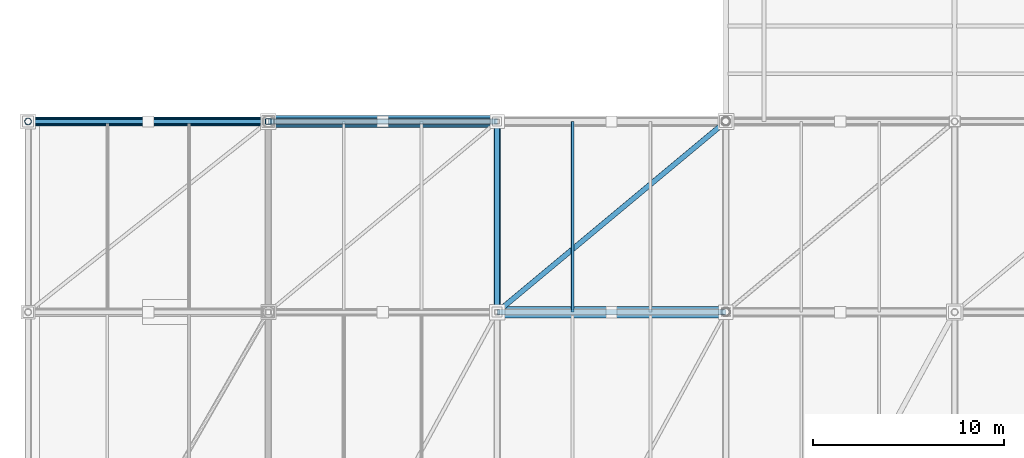
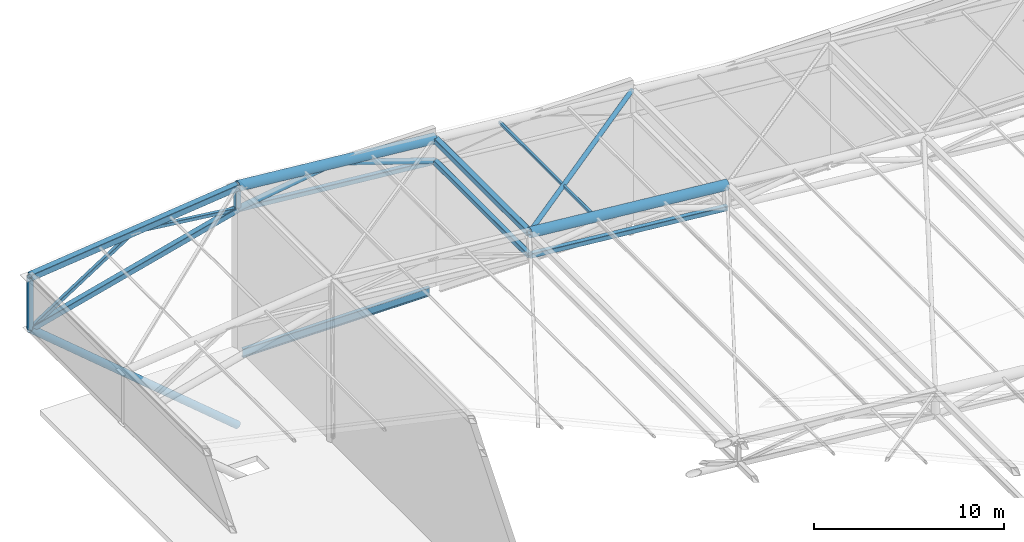
# One storey, part 31 of 44: 17 members, 1 beam.
"""IFC4 building model written with IfcOpenShell, lengths in metres."""

import ifcopenshell
import ifcopenshell.guid

model = None  # the IFC model being written
_history = None  # IfcOwnerHistory: only IFC2X3 demands one
_inside = {}  # id of a spatial element -> (the spatial element, [elements in it])
_under = {}  # id of a project, library or spatial element -> (it, [spatial elements below it])
_declared = {}  # id of a project -> (the project, [libraries it declares])
_typed = {}  # id of a type object -> (the type object, [elements of that type])
_made_of = {}  # id of a material, layer set ... -> (it, [elements and type objects made of it])


def new_model(schema):
    """Start an empty IFC model of exactly this schema.

    Asked for "IFC4X3", IfcOpenShell would pick the latest addendum, in which some entities
    have other attributes; the version numbers below select the first issue.
    IFC2X3 requires an IfcOwnerHistory on every rooted entity: one is made here for all.
    """
    global model, _history
    if schema == "IFC4X3":
        model = ifcopenshell.file(schema_version=(4, 3, 0, 0))
    else:
        model = ifcopenshell.file(schema=schema)
    _inside.clear()
    _under.clear()
    _declared.clear()
    _typed.clear()
    _made_of.clear()
    _history = None
    if model.schema == "IFC2X3":
        org = make("IfcOrganization", Name="unknown")
        user = make(
            "IfcPersonAndOrganization",
            ThePerson=make("IfcPerson", FamilyName="unknown"),
            TheOrganization=org,
        )
        app = make(
            "IfcApplication",
            ApplicationDeveloper=org,
            Version="unknown",
            ApplicationFullName="unknown",
            ApplicationIdentifier="unknown",
        )
        _history = make(
            "IfcOwnerHistory",
            OwningUser=user,
            OwningApplication=app,
            ChangeAction="ADDED",
            CreationDate=0,
        )
    return model


def make(cls, **values):
    """One entity of the class cls with the attributes given. An attribute that is None is left unset."""
    return model.create_entity(
        cls, **{name: value for name, value in values.items() if value is not None}
    )


def rooted(cls, **values):
    """An entity with a GlobalId (a new one), such as an element, a storey or a relation."""
    return make(cls, GlobalId=ifcopenshell.guid.new(), OwnerHistory=_history, **values)


def si_unit(unit_type, name, prefix=None):
    """IfcSIUnit, for example si_unit("LENGTHUNIT", "METRE", prefix="MILLI")."""
    return make("IfcSIUnit", UnitType=unit_type, Prefix=prefix, Name=name)


def assignment(units):
    """IfcUnitAssignment: the units of a project."""
    return None if units is None else make("IfcUnitAssignment", Units=units)


def point(xyz):
    """IfcCartesianPoint."""
    return None if xyz is None else make("IfcCartesianPoint", Coordinates=xyz)


def direction(xyz):
    """IfcDirection."""
    return None if xyz is None else make("IfcDirection", DirectionRatios=xyz)


def frame(location, z_axis=None, x_axis=None):
    """IfcAxis2Placement3D, a coordinate frame: its origin and axes. An axis left out is left unset."""
    return make(
        "IfcAxis2Placement3D",
        Location=point(location),
        Axis=direction(z_axis),
        RefDirection=direction(x_axis),
    )


def frame_2d(location, x_axis=None):
    """IfcAxis2Placement2D, a coordinate frame in the plane: its origin and x axis."""
    return make(
        "IfcAxis2Placement2D", Location=point(location), RefDirection=direction(x_axis)
    )


def origin():
    """The frame at (0, 0, 0) with its axes left unset."""
    return frame((0.0, 0.0, 0.0))


def origin_2d():
    """The frame at (0, 0) in the plane with its x axis left unset."""
    return frame_2d((0.0, 0.0))


def place(relative_to, where):
    """IfcLocalPlacement: puts the frame where relative to a parent placement (None: the world)."""
    return make(
        "IfcLocalPlacement", PlacementRelTo=relative_to, RelativePlacement=where
    )


def context(
    kind, dimensions, precision=None, world=None, true_north=None, identifier=None
):
    """IfcGeometricRepresentationContext, for example the 3D "Model" context."""
    return make(
        "IfcGeometricRepresentationContext",
        ContextIdentifier=identifier,
        ContextType=kind,
        CoordinateSpaceDimension=dimensions,
        Precision=precision,
        WorldCoordinateSystem=world,
        TrueNorth=true_north,
    )


def subcontext(parent, identifier, kind, view, scale=None):
    """IfcGeometricRepresentationSubContext, for example "Body" below "Model"."""
    return make(
        "IfcGeometricRepresentationSubContext",
        ContextIdentifier=identifier,
        ContextType=kind,
        ParentContext=parent,
        TargetScale=scale,
        TargetView=view,
    )


def project(units=None, contexts=None):
    """IfcProject with its units and contexts."""
    return rooted(
        "IfcProject",
        Name="project",
        RepresentationContexts=contexts,
        UnitsInContext=assignment(units),
    )


def spatial(cls, under=None, at=None, **own):
    """A site, building, storey or space (cls), placed at a placement, below another one or the project."""
    s = rooted(cls, ObjectPlacement=at, **own)
    if under is not None:
        _under.setdefault(under.id(), (under, []))[1].append(s)
    return s


def profile(cls, at=None, kind="AREA", **sizes):
    """A parametric profile (cls). Its sizes go by their IFC names, for example OverallWidth=200.0."""
    return make(cls, ProfileType=kind, Position=at, **sizes)


def hollow_rectangle(**sizes):
    """IfcRectangleHollowProfileDef."""
    return profile("IfcRectangleHollowProfileDef", **sizes)


def hollow_circle(**sizes):
    """IfcCircleHollowProfileDef."""
    return profile("IfcCircleHollowProfileDef", **sizes)


def i_section(**sizes):
    """IfcIShapeProfileDef."""
    return profile("IfcIShapeProfileDef", **sizes)


def extrude(swept, where, along, depth):
    """IfcExtrudedAreaSolid: the profile swept, set in the frame where, extruded along a direction by depth."""
    return make(
        "IfcExtrudedAreaSolid",
        SweptArea=swept,
        Position=where,
        ExtrudedDirection=direction(along),
        Depth=depth,
    )


def shape(context_of_items, identifier, shape_type, items):
    """IfcShapeRepresentation: the items that make up one representation, for example the "Body"."""
    return make(
        "IfcShapeRepresentation",
        ContextOfItems=context_of_items,
        RepresentationIdentifier=identifier,
        RepresentationType=shape_type,
        Items=items,
    )


def material(Name=None, Category=None):
    """IfcMaterial."""
    return make("IfcMaterial", Name=Name, Category=Category)


def material_profile(
    of_material, cross_section, Name=None, Category=None, Priority=None
):
    """IfcMaterialProfile: a cross section and its material."""
    return make(
        "IfcMaterialProfile",
        Name=Name,
        Material=of_material,
        Profile=cross_section,
        Priority=Priority,
        Category=Category,
    )


def profile_set(profiles, Name=None, composite=None):
    """IfcMaterialProfileSet."""
    return make(
        "IfcMaterialProfileSet",
        Name=Name,
        MaterialProfiles=profiles,
        CompositeProfile=composite,
    )


def made_of(thing, what):
    """Note that an element or type object is made of a material, layer set ...; save() writes the relation."""
    if what is not None:
        _made_of.setdefault(what.id(), (what, []))[1].append(thing)
    return thing


def type_object(cls, material=None, **own):
    """A type object (cls), such as IfcWallType, which elements share."""
    return made_of(rooted(cls, **own), material)


def element(
    cls,
    number,
    at=None,
    inside=None,
    cuts=None,
    type_object=None,
    material=None,
    context=None,
    identifier="Body",
    shape_type=None,
    held_by="IfcProductDefinitionShape",
    body=None,
    shapes=None,
    **own,
):
    """One element of the class cls, such as IfcWall. Its Tag is "e" and its number.

    at: its placement. inside: the storey or other place that contains it. cuts: it is an
    opening in that element (IfcRelVoidsElement). A single representation is given by context,
    identifier, shape_type and body (its items); several are given by shapes. held_by: the class
    of the entity that holds the representations. save() writes the other relations.
    """
    e = rooted(cls, Tag="e%d" % number, ObjectPlacement=at, **own)
    if body is not None:
        shapes = [shape(context, identifier, shape_type, body)]
    if shapes is not None:
        e.Representation = make(held_by, Representations=shapes)
    if inside is not None:
        _inside.setdefault(inside.id(), (inside, []))[1].append(e)
    if cuts is not None:
        rooted(
            "IfcRelVoidsElement", RelatingBuildingElement=cuts, RelatedOpeningElement=e
        )
    if type_object is not None:
        _typed.setdefault(type_object.id(), (type_object, []))[1].append(e)
    return made_of(e, material)


def aggregate(whole, parts):
    """IfcRelAggregates: a whole, such as a stair, and the parts it consists of."""
    return rooted("IfcRelAggregates", RelatingObject=whole, RelatedObjects=parts)


def save(model, path):
    """Write the relations noted so far, then the file.

    IfcRelAggregates (storeys below a building ...), IfcRelContainedInSpatialStructure (elements
    in a storey), IfcRelDefinesByType, IfcRelAssociatesMaterial and IfcRelDeclares: one each for
    every whole, place, type object, material and project.
    """
    for whole, parts in _under.values():
        aggregate(whole, parts)
    for where, things in _inside.values():
        rooted(
            "IfcRelContainedInSpatialStructure",
            RelatedElements=things,
            RelatingStructure=where,
        )
    for kind, things in _typed.values():
        rooted("IfcRelDefinesByType", RelatedObjects=things, RelatingType=kind)
    for what, things in _made_of.values():
        rooted("IfcRelAssociatesMaterial", RelatedObjects=things, RelatingMaterial=what)
    for by, libraries in _declared.values():
        rooted("IfcRelDeclares", RelatingContext=by, RelatedDefinitions=libraries)
    model.write(path)


model = new_model("IFC4")

# Units and contexts
model_context = context("Model", 3, precision=1e-05, world=origin(), true_north=direction((0.0, 1.0)))
body_context = subcontext(model_context, "Body", "Model", "MODEL_VIEW")
ifc_project = project(units=[si_unit("LENGTHUNIT", "METRE"), si_unit("AREAUNIT", "SQUARE_METRE"), si_unit("VOLUMEUNIT", "CUBIC_METRE"), si_unit("PLANEANGLEUNIT", "RADIAN"), si_unit("MASSUNIT", "GRAM", prefix="KILO")], contexts=[model_context])

# Site, building, storey
site_placement = place(None, origin())
site = spatial("IfcSite", under=ifc_project, at=site_placement, CompositionType="ELEMENT")
building_placement = place(site_placement, origin())
building = spatial("IfcBuilding", under=site, at=building_placement, Name="Brinegate Civic Arena", CompositionType="ELEMENT")
storey_placement = place(building_placement, frame((0.0, 0.0, 29.39990234375)))
storey = spatial("IfcBuildingStorey", under=building, at=storey_placement, Name="RF", CompositionType="ELEMENT", Elevation=29.39990234375)

# Members
ifc_material = material(Name="Steel S355", Category="steel")
ifc_material_profile_1 = material_profile(ifc_material, hollow_rectangle(XDim=0.159912109375, YDim=0.159912109375, WallThickness=0.008056640625, InnerFilletRadius=0.008056640625, OuterFilletRadius=0.01611328125, at=origin_2d()), Name="SHS160X8")
ifc_profile_set_1 = profile_set([ifc_material_profile_1], Name="Steel S355")
member_type_1 = type_object("IfcMemberType", Name="RF-PURLIN-SHS160", PredefinedType="PURLIN", material=ifc_profile_set_1)
member_1_placement = place(storey_placement, frame((75.9599609375, 104.0, 9.089111328125), z_axis=(0.0, 1.0, 0.0), x_axis=(-1.0, 0.0, 0.0)))
element("IfcMember", 1, at=member_1_placement, inside=storey, type_object=member_type_1, Name="Roof Purlin RFP-113", PredefinedType="PURLIN", context=body_context, shape_type="SweptSolid", body=[
    extrude(hollow_rectangle(XDim=0.159912109375, YDim=0.159912109375, WallThickness=0.008056640625, InnerFilletRadius=0.008056640625, OuterFilletRadius=0.01611328125, at=origin_2d()), origin(), (0.0, 0.0, 1.0), 10.0),
])
ifc_material_profile_2 = material_profile(ifc_material, hollow_circle(Radius=0.136474609375, WallThickness=0.011962890625, at=origin_2d()), Name="CHS273X12")
ifc_profile_set_2 = profile_set([ifc_material_profile_2], Name="Steel S355")
member_type_2 = type_object("IfcMemberType", Name="SF-BRACE-CHS273", PredefinedType="BRACE", material=ifc_profile_set_2)
member_2_placement = place(storey_placement, frame((72.0, 104.0, 9.425048828125), z_axis=(0.766236619907, 0.638530516589, -0.071834683116), x_axis=(-0.640184399664, 0.768221279597, 0.0)))
element("IfcMember", 2, at=member_2_placement, inside=storey, type_object=member_type_2, Name="Roof Plan Diagonal Brace PL-7-3", PredefinedType="BRACE", context=body_context, shape_type="SweptSolid", body=[
    extrude(hollow_circle(Radius=0.136474609375, WallThickness=0.011962890625, at=origin_2d()), origin(), (0.0, 0.0, 1.0), 15.660888671875),
])
ifc_material_profile_3 = material_profile(ifc_material, hollow_circle(Radius=0.177978515625, WallThickness=0.013916015625, at=origin_2d()), Name="CHS356X14")
ifc_profile_set_3 = profile_set([ifc_material_profile_3], Name="Steel S355")
member_type_3 = type_object("IfcMemberType", Name="SF-BRACE-CHS356", PredefinedType="BRACE", material=ifc_profile_set_3)
member_3_placement = place(storey_placement, frame((60.0, 114.0, 9.10009765625), z_axis=(0.989226142737, 0.0, 0.1463954867), x_axis=(0.0, 1.0, 0.0)))
element("IfcMember", 3, at=member_3_placement, inside=storey, type_object=member_type_3, Name="Space Frame Web Brace D1-8-2", PredefinedType="BRACE", context=body_context, shape_type="SweptSolid", body=[
    extrude(hollow_circle(Radius=0.177978515625, WallThickness=0.013916015625, at=origin_2d()), origin(), (0.0, 0.0, 1.0), 6.0654296875),
])
member_4_placement = place(storey_placement, frame((66.0, 114.0, 9.988037109375), z_axis=(0.948068139281, 0.0, -0.318067293635), x_axis=(0.0, 1.0, 0.0)))
element("IfcMember", 4, at=member_4_placement, inside=storey, type_object=member_type_3, Name="Space Frame Web Brace D2-8-2", PredefinedType="BRACE", context=body_context, shape_type="SweptSolid", body=[
    extrude(hollow_circle(Radius=0.177978515625, WallThickness=0.013916015625, at=origin_2d()), origin(), (0.0, 0.0, 1.0), 6.32861328125),
])
ifc_material_profile_4 = material_profile(ifc_material, hollow_rectangle(XDim=0.219970703125, YDim=0.219970703125, WallThickness=0.011962890625, InnerFilletRadius=0.011962890625, OuterFilletRadius=0.02392578125, at=origin_2d()), Name="SHS220X12")
ifc_profile_set_4 = profile_set([ifc_material_profile_4], Name="Steel S355")
member_type_4 = type_object("IfcMemberType", Name="SF-BRACE-SHS220", PredefinedType="BRACE", material=ifc_profile_set_4)
member_5_placement = place(storey_placement, frame((47.39990234375, 114.0, 5.800048828125), z_axis=(0.841177416252, 0.0, 0.540759238837), x_axis=(0.0, 1.0, 0.0)))
element("IfcMember", 5, at=member_5_placement, inside=storey, type_object=member_type_4, Name="Space Frame Web Brace D1-8-1", PredefinedType="BRACE", context=body_context, shape_type="SweptSolid", body=[
    extrude(hollow_rectangle(XDim=0.219970703125, YDim=0.219970703125, WallThickness=0.011962890625, InnerFilletRadius=0.011962890625, OuterFilletRadius=0.02392578125, at=origin_2d()), origin(), (0.0, 0.0, 1.0), 7.489501953125),
])
member_6_placement = place(storey_placement, frame((53.699951171875, 114.0, 9.85009765625), z_axis=(0.992988381742, 0.0, -0.118211986387), x_axis=(0.0, 1.0, 0.0)))
element("IfcMember", 6, at=member_6_placement, inside=storey, type_object=member_type_4, Name="Space Frame Web Brace D2-8-1", PredefinedType="BRACE", context=body_context, shape_type="SweptSolid", body=[
    extrude(hollow_rectangle(XDim=0.219970703125, YDim=0.219970703125, WallThickness=0.011962890625, InnerFilletRadius=0.011962890625, OuterFilletRadius=0.02392578125, at=origin_2d()), origin(), (0.0, 0.0, 1.0), 6.344482421875),
])
ifc_material_profile_5 = material_profile(ifc_material, hollow_circle(Radius=0.304931640625, WallThickness=0.02490234375, at=origin_2d()), Name="CHS610X25")
ifc_profile_set_5 = profile_set([ifc_material_profile_5], Name="Steel S355")
member_type_5 = type_object("IfcMemberType", Name="SF-CHORD-CHS610", PredefinedType="CHORD", material=ifc_profile_set_5)
for number, where, z_axis, x_axis, name in (
    (7, (72.0, 104.0, 9.425048828125), (0.995634226059, 0.0, -0.093340708693), (0.0, 1.0, 0.0), "Space Frame Top Chord TX-7-3"),
    (8, (60.0, 114.0, 10.550048828125), (0.995634226059, 0.0, -0.093340708693), (0.0, 1.0, 0.0), "Space Frame Top Chord TX-8-2"),
):
    element("IfcMember", number, at=place(storey_placement, frame(where, z_axis=z_axis, x_axis=x_axis)), inside=storey, type_object=member_type_5, Name=name, PredefinedType="CHORD", context=body_context, shape_type="SweptSolid", body=[
        extrude(hollow_circle(Radius=0.304931640625, WallThickness=0.02490234375, at=origin_2d()), origin(), (0.0, 0.0, 1.0), 12.052734375),
    ])
ifc_material_profile_6 = material_profile(ifc_material, hollow_rectangle(XDim=0.300048828125, YDim=0.300048828125, WallThickness=0.01611328125, InnerFilletRadius=0.01611328125, OuterFilletRadius=0.031982421875, at=origin_2d()), Name="SHS300X16")
ifc_profile_set_6 = profile_set([ifc_material_profile_6], Name="Steel S355")
member_type_6 = type_object("IfcMemberType", Name="SF-CHORD-SHS300", PredefinedType="CHORD", material=ifc_profile_set_6)
for number, where, z_axis, x_axis, name in (
    (9, (72.0, 104.0, 7.97509765625), (0.995634226059, 0.0, -0.093340708693), (0.0, 1.0, 0.0), "Space Frame Bottom Chord BX-7-3"),
    (10, (60.0, 114.0, 9.10009765625), (0.995634226059, 0.0, -0.093340708693), (0.0, 1.0, 0.0), "Space Frame Bottom Chord BX-8-2"),
):
    element("IfcMember", number, at=place(storey_placement, frame(where, z_axis=z_axis, x_axis=x_axis)), inside=storey, type_object=member_type_6, Name=name, PredefinedType="CHORD", context=body_context, shape_type="SweptSolid", body=[
        extrude(hollow_rectangle(XDim=0.300048828125, YDim=0.300048828125, WallThickness=0.01611328125, InnerFilletRadius=0.01611328125, OuterFilletRadius=0.031982421875, at=origin_2d()), origin(), (0.0, 0.0, 1.0), 12.052734375),
    ])
member_7_placement = place(storey_placement, frame((72.0, 104.0, 7.97509765625), z_axis=(0.0, 1.0, 0.0), x_axis=(-1.0, 0.0, 0.0)))
element("IfcMember", 11, at=member_7_placement, inside=storey, type_object=member_type_6, Name="Space Frame Cross Bottom Chord BY-7-3", PredefinedType="CHORD", context=body_context, shape_type="SweptSolid", body=[
    extrude(hollow_rectangle(XDim=0.300048828125, YDim=0.300048828125, WallThickness=0.01611328125, InnerFilletRadius=0.01611328125, OuterFilletRadius=0.031982421875, at=origin_2d()), origin(), (0.0, 0.0, 1.0), 10.0),
])
ifc_material_profile_7 = material_profile(ifc_material, hollow_rectangle(XDim=0.35009765625, YDim=0.35009765625, WallThickness=0.01611328125, InnerFilletRadius=0.01611328125, OuterFilletRadius=0.031982421875, at=origin_2d()), Name="SHS350X16")
ifc_profile_set_7 = profile_set([ifc_material_profile_7], Name="Steel S355")
member_type_7 = type_object("IfcMemberType", Name="SF-CHORD-SHS350", PredefinedType="CHORD", material=ifc_profile_set_7)
member_8_placement = place(storey_placement, frame((47.39990234375, 114.0, 5.800048828125), z_axis=(0.967371785856, 0.0, 0.25336106238), x_axis=(0.0, 1.0, 0.0)))
element("IfcMember", 12, at=member_8_placement, inside=storey, type_object=member_type_7, Name="Space Frame Bottom Chord BX-8-1", PredefinedType="CHORD", context=body_context, shape_type="SweptSolid", body=[
    extrude(hollow_rectangle(XDim=0.35009765625, YDim=0.35009765625, WallThickness=0.01611328125, InnerFilletRadius=0.01611328125, OuterFilletRadius=0.031982421875, at=origin_2d()), origin(), (0.0, 0.0, 1.0), 13.025146484375),
])
member_9_placement = place(storey_placement, frame((72.0, 104.0, 9.425048828125), z_axis=(0.0, 1.0, 0.0), x_axis=(-1.0, 0.0, 0.0)))
element("IfcMember", 13, at=member_9_placement, inside=storey, type_object=member_type_7, Name="Space Frame Cross Top Chord TY-7-3", PredefinedType="CHORD", context=body_context, shape_type="SweptSolid", body=[
    extrude(hollow_rectangle(XDim=0.35009765625, YDim=0.35009765625, WallThickness=0.01611328125, InnerFilletRadius=0.01611328125, OuterFilletRadius=0.031982421875, at=origin_2d()), origin(), (0.0, 0.0, 1.0), 10.0),
])
ifc_material_profile_8 = material_profile(ifc_material, hollow_rectangle(XDim=0.39990234375, YDim=0.39990234375, WallThickness=0.02001953125, InnerFilletRadius=0.02001953125, OuterFilletRadius=0.0400390625, at=origin_2d()), Name="SHS400X20")
ifc_profile_set_8 = profile_set([ifc_material_profile_8], Name="Steel S355")
member_type_8 = type_object("IfcMemberType", Name="SF-CHORD-SHS400", PredefinedType="CHORD", material=ifc_profile_set_8)
member_10_placement = place(storey_placement, frame((47.39990234375, 114.0, 9.150146484375), z_axis=(0.993884674033, 0.0, 0.110423071515), x_axis=(0.0, 1.0, 0.0)))
element("IfcMember", 14, at=member_10_placement, inside=storey, type_object=member_type_8, Name="Space Frame Top Chord TX-8-1", PredefinedType="CHORD", context=body_context, shape_type="SweptSolid", body=[
    extrude(hollow_rectangle(XDim=0.39990234375, YDim=0.39990234375, WallThickness=0.02001953125, InnerFilletRadius=0.02001953125, OuterFilletRadius=0.0400390625, at=origin_2d()), origin(), (0.0, 0.0, 1.0), 12.677734375),
])
ifc_material_profile_9 = material_profile(ifc_material, hollow_circle(Radius=0.177978515625, WallThickness=0.013916015625, at=origin_2d()), Name="CHS356X14")
ifc_profile_set_9 = profile_set([ifc_material_profile_9], Name="Steel S355")
member_type_9 = type_object("IfcMemberType", Name="SF-STRUT-CHS356", PredefinedType="STRUT", material=ifc_profile_set_9)
member_11_placement = place(storey_placement, frame((47.39990234375, 114.0, 5.800048828125), z_axis=(0.0, 0.0, 1.0), x_axis=(1.0, 0.0, 0.0)))
element("IfcMember", 15, at=member_11_placement, inside=storey, type_object=member_type_9, Name="Space Frame Vertical Post V-8-1", PredefinedType="STRUT", context=body_context, shape_type="SweptSolid", body=[
    extrude(hollow_circle(Radius=0.177978515625, WallThickness=0.013916015625, at=origin_2d()), origin(), (0.0, 0.0, 1.0), 3.35009765625),
])
ifc_material_profile_10 = material_profile(ifc_material, hollow_circle(Radius=0.228515625, WallThickness=0.01611328125, at=origin_2d()), Name="CHS457X16")
ifc_profile_set_10 = profile_set([ifc_material_profile_10], Name="Steel S355")
member_type_10 = type_object("IfcMemberType", Name="SF-STRUT-CHS457", PredefinedType="STRUT", material=ifc_profile_set_10)
member_12_placement = place(storey_placement, frame((60.0, 114.0, -4.7998046875), z_axis=(-0.765232927861, 0.0, 0.643753497945), x_axis=(0.0, -1.0, 0.0)))
element("IfcMember", 16, at=member_12_placement, inside=storey, type_object=member_type_10, Name="Cantilever Back-Prop Strut SFS-CANT-08", PredefinedType="STRUT", context=body_context, shape_type="SweptSolid", body=[
    extrude(hollow_circle(Radius=0.228515625, WallThickness=0.01611328125, at=origin_2d()), origin(), (0.0, 0.0, 1.0), 16.4658203125),
])
ifc_material_profile_11 = material_profile(ifc_material, hollow_rectangle(XDim=0.300048828125, YDim=0.300048828125, WallThickness=0.01611328125, InnerFilletRadius=0.01611328125, OuterFilletRadius=0.031982421875, at=origin_2d()), Name="SHS300X16")
ifc_profile_set_11 = profile_set([ifc_material_profile_11], Name="Steel S355")
member_type_11 = type_object("IfcMemberType", Name="SF-STRUT-SHS300", PredefinedType="STRUT", material=ifc_profile_set_11)
member_13_placement = place(storey_placement, frame((60.0, 114.0, 9.10009765625), z_axis=(0.0, 0.0, 1.0), x_axis=(1.0, 0.0, 0.0)))
element("IfcMember", 17, at=member_13_placement, inside=storey, type_object=member_type_11, Name="Space Frame Vertical Post V-8-2", PredefinedType="STRUT", context=body_context, shape_type="SweptSolid", body=[
    extrude(hollow_rectangle(XDim=0.300048828125, YDim=0.300048828125, WallThickness=0.01611328125, InnerFilletRadius=0.01611328125, OuterFilletRadius=0.031982421875, at=origin_2d()), origin(), (0.0, 0.0, 1.0), 1.449951171875),
])

# Beam
ifc_material_profile_12 = material_profile(ifc_material, i_section(OverallWidth=0.2119140625, OverallDepth=0.5439453125, WebThickness=0.012939453125, FlangeThickness=0.02099609375, FilletRadius=0.01611328125, at=origin_2d()), Name="W530X123")
ifc_profile_set_12 = profile_set([ifc_material_profile_12], Name="Steel S355")
beam_type = type_object("IfcBeamType", Name="SPANDREL-W530X123", PredefinedType="SPANDREL", material=ifc_profile_set_12)
beam_placement = place(storey_placement, frame((60.31005859375, 114.0, -0.27197265625), z_axis=(1.0, 0.0, 0.0), x_axis=(0.0, 1.0, 0.0)))
element("IfcBeam", 18, at=beam_placement, inside=storey, type_object=beam_type, Name="Gable Crown Ring Beam GBL-N01", PredefinedType="SPANDREL", context=body_context, shape_type="SweptSolid", body=[
    extrude(i_section(OverallWidth=0.2119140625, OverallDepth=0.5439453125, WebThickness=0.012939453125, FlangeThickness=0.02099609375, FilletRadius=0.01611328125, at=origin_2d()), origin(), (0.0, 0.0, 1.0), 11.3798828125),
])

save(model, "model.ifc")
